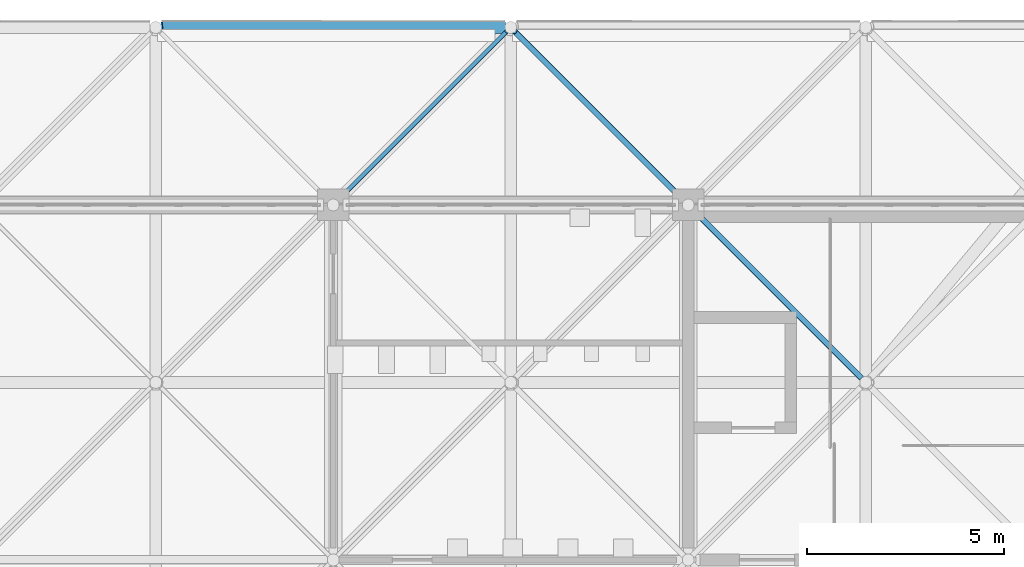
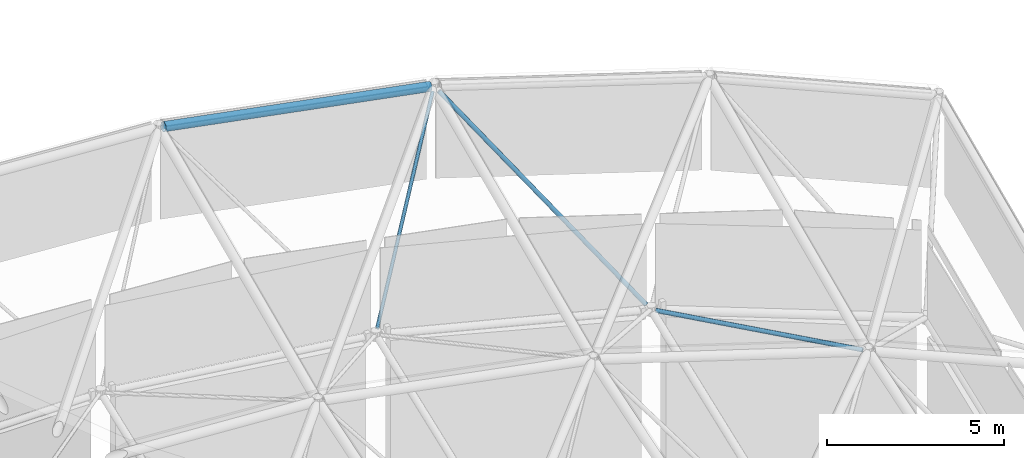
# One storey, part 138 of 437: 4 members.
"""IFC4 building model written with IfcOpenShell, lengths in metres."""

from ifc_helpers import new_model, si_unit, direction, frame, origin, origin_2d, place, context, subcontext, project, spatial, hollow_circle, extrude, material, material_profile, profile_set, type_object, element, save


model = new_model("IFC4")

# Units and contexts
model_context = context("Model", 3, precision=1e-05, world=origin(), true_north=direction((0.0, 1.0)))
body_context = subcontext(model_context, "Body", "Model", "MODEL_VIEW")
ifc_project = project(units=[si_unit("LENGTHUNIT", "METRE"), si_unit("AREAUNIT", "SQUARE_METRE"), si_unit("VOLUMEUNIT", "CUBIC_METRE"), si_unit("PLANEANGLEUNIT", "RADIAN"), si_unit("MASSUNIT", "GRAM", prefix="KILO")], contexts=[model_context])

# Site, building, storey
site_placement = place(None, origin())
site = spatial("IfcSite", under=ifc_project, at=site_placement, CompositionType="ELEMENT")
building_placement = place(site_placement, origin())
building = spatial("IfcBuilding", under=site, at=building_placement, Name="Opaline Strait Convention Centre", CompositionType="ELEMENT")
storey_placement = place(building_placement, frame((0.0, 0.0, 11.5)))
storey = spatial("IfcBuildingStorey", under=building, at=storey_placement, Name="L02", CompositionType="ELEMENT", Elevation=11.5)

# Members
ifc_material = material(Name="Steel Q355B", Category="steel")
ifc_material_profile_1 = material_profile(ifc_material, hollow_circle(Radius=0.1494140625, WallThickness=0.010009765625, at=origin_2d()), Name="CHS 299x10")
ifc_profile_set_1 = profile_set([ifc_material_profile_1], Name="Steel Q355B")
member_type_1 = type_object("IfcMemberType", Name="Shell truss top chord CHS 299x10", PredefinedType="CHORD", material=ifc_profile_set_1)
member_1_placement = place(storey_placement, frame((49.64990234375, 184.5, 22.387939453125), z_axis=(0.982337601302, 0.0, -0.187117174701), x_axis=(0.0, 1.0, 0.0)))
element("IfcMember", 1, at=member_1_placement, inside=storey, type_object=member_type_1, Name="PTC2 top chord X6-9", PredefinedType="CHORD", context=body_context, shape_type="SweptSolid", body=[
    extrude(hollow_circle(Radius=0.1494140625, WallThickness=0.010009765625, at=origin_2d()), origin(), (0.0, 0.0, 1.0), 8.856689453125),
])
ifc_material_profile_2 = material_profile(ifc_material, hollow_circle(Radius=0.056884765625, WallThickness=0.006103515625, at=origin_2d()), Name="CHS 114x6")
ifc_profile_set_2 = profile_set([ifc_material_profile_2], Name="Steel Q355B")
member_type_2 = type_object("IfcMemberType", Name="Shell truss web CHS 114x6", PredefinedType="BRACE", material=ifc_profile_set_2)
member_2_placement = place(storey_placement, frame((54.106201171875, 180.106201171875, 16.510498046875), z_axis=(0.58618937533, 0.58618937533, 0.559253102361), x_axis=(-0.707106781187, 0.707106781187, 0.0)))
element("IfcMember", 2, at=member_2_placement, inside=storey, type_object=member_type_2, Name="PWB3 web 6-8bd", PredefinedType="BRACE", context=body_context, shape_type="SweptSolid", body=[
    extrude(hollow_circle(Radius=0.056884765625, WallThickness=0.006103515625, at=origin_2d()), origin(), (0.0, 0.0, 1.0), 7.314453125),
])
ifc_material_profile_3 = material_profile(ifc_material, hollow_circle(Radius=0.070068359375, WallThickness=0.008056640625, at=origin_2d()), Name="CHS 140x8")
ifc_profile_set_3 = profile_set([ifc_material_profile_3], Name="Steel Q355B")
member_type_3 = type_object("IfcMemberType", Name="Shell truss web CHS 140x8", PredefinedType="BRACE", material=ifc_profile_set_3)
member_3_placement = place(storey_placement, frame((62.8974609375, 180.1025390625, 14.273681640625), z_axis=(-0.491659576152, 0.491659576152, 0.718708370869), x_axis=(-0.707106781187, -0.707106781187, 0.0)))
element("IfcMember", 3, at=member_3_placement, inside=storey, type_object=member_type_3, Name="PWB2 web 7-8ad", PredefinedType="BRACE", context=body_context, shape_type="SweptSolid", body=[
    extrude(hollow_circle(Radius=0.070068359375, WallThickness=0.008056640625, at=origin_2d()), origin(), (0.0, 0.0, 1.0), 8.735595703125),
])
member_4_placement = place(storey_placement, frame((63.106201171875, 179.893798828125, 14.116943359375), z_axis=(0.706430522614, -0.706430522614, -0.043724517599), x_axis=(0.707106781187, 0.707106781187, 0.0)))
element("IfcMember", 4, at=member_4_placement, inside=storey, type_object=member_type_3, Name="PWB2 web 7-8bc", PredefinedType="BRACE", context=body_context, shape_type="SweptSolid", body=[
    extrude(hollow_circle(Radius=0.070068359375, WallThickness=0.008056640625, at=origin_2d()), origin(), (0.0, 0.0, 1.0), 6.0693359375),
])

save(model, "model.ifc")
